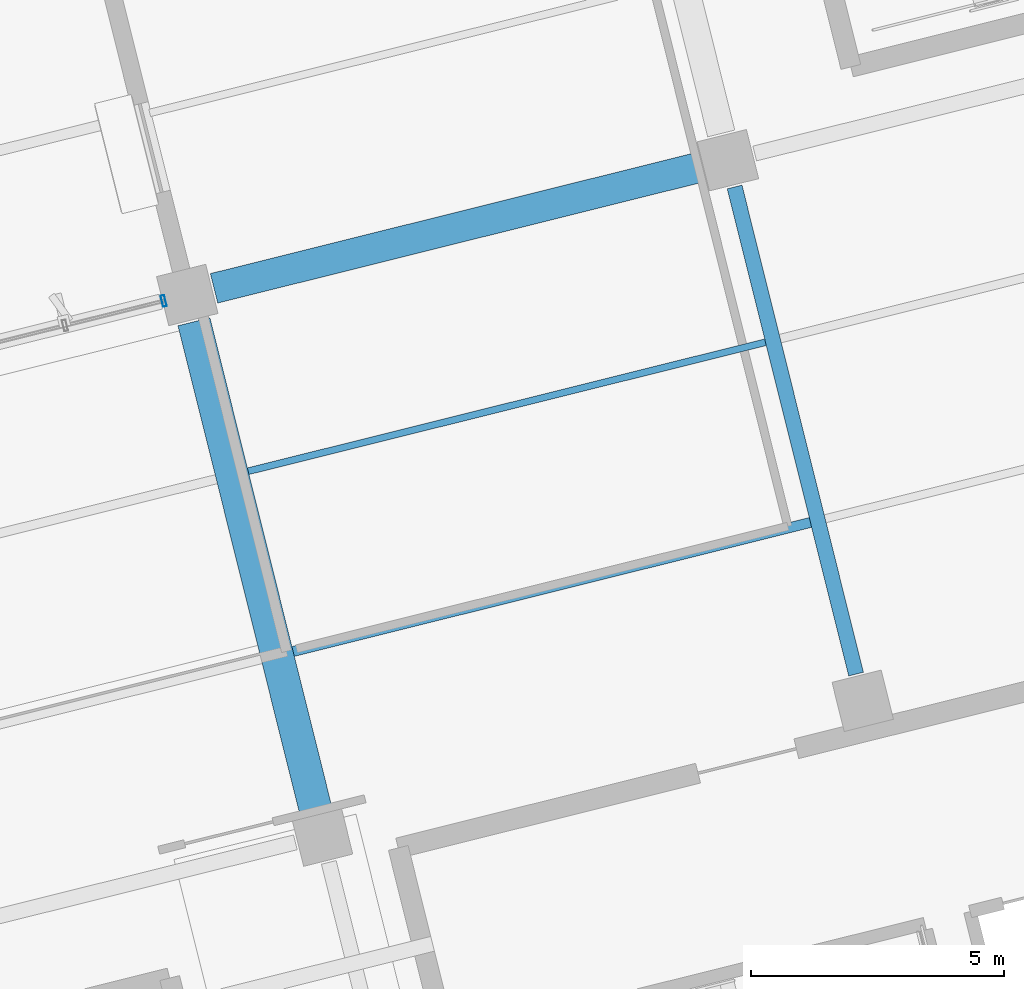
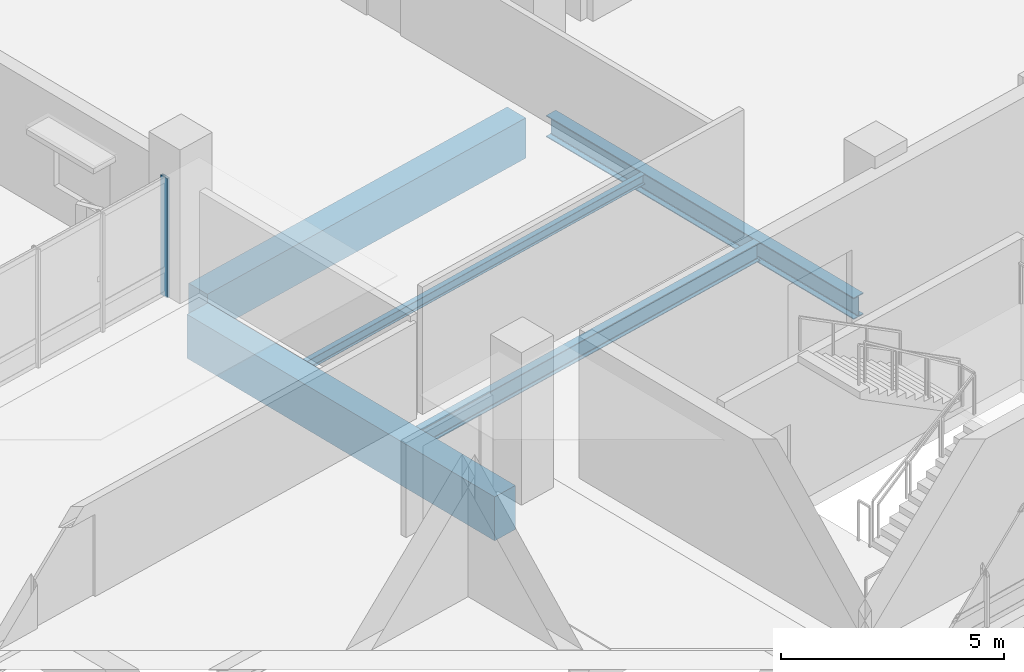
# One storey, part 34 of 75: 5 beams, 1 member, 1 element without a shape of its own.
"""IFC4 building model written with IfcOpenShell, lengths in metres."""

from ifc_helpers import new_model, si_unit, direction, frame, origin, origin_2d, place, context, subcontext, project, spatial, rectangle, hollow_rectangle, i_section, extrude, material, layer, layer_set, material_profile, profile_set, type_object, element, aggregate, save


model = new_model("IFC4")

# Units and contexts
model_context = context("Model", 3, precision=1e-05, world=origin(), true_north=direction((0.0, 1.0)))
body_context = subcontext(model_context, "Body", "Model", "MODEL_VIEW")
ifc_project = project(units=[si_unit("LENGTHUNIT", "METRE"), si_unit("AREAUNIT", "SQUARE_METRE"), si_unit("VOLUMEUNIT", "CUBIC_METRE"), si_unit("PLANEANGLEUNIT", "RADIAN"), si_unit("MASSUNIT", "GRAM", prefix="KILO")], contexts=[model_context])

# Site, building, storey
site_placement = place(None, origin())
site = spatial("IfcSite", under=ifc_project, at=site_placement, CompositionType="ELEMENT")
building_placement = place(site_placement, origin())
building = spatial("IfcBuilding", under=site, at=building_placement, Name="Khorjan Park Terminus", CompositionType="ELEMENT")
storey_placement = place(building_placement, frame((0.0, 0.0, 16.2)))
storey = spatial("IfcBuildingStorey", under=building, at=storey_placement, Name="L03", CompositionType="ELEMENT", Elevation=16.2)

# Beams
ifc_material_1 = material(Name="Steel S355", Category="steel")
ifc_material_profile_1 = material_profile(ifc_material_1, i_section(OverallWidth=0.3, OverallDepth=0.59, WebThickness=0.013, FlangeThickness=0.025, FilletRadius=0.027, at=origin_2d()), Name="HEA 600")
ifc_profile_set_1 = profile_set([ifc_material_profile_1], Name="Steel S355")
beam_type_1 = type_object("IfcBeamType", Name="BM-HEA600", PredefinedType="BEAM", material=ifc_profile_set_1)
beam_1_placement = place(storey_placement, frame((205.9, 23.8466, -0.645), z_axis=(-0.241915884168, 0.970297225074, 0.0), x_axis=(-0.970297225074, -0.241915884168, 0.0)))
element("IfcBeam", 1, at=beam_1_placement, inside=storey, type_object=beam_type_1, Name="Primary skew-grid floor girder SB-A60 (L03)", PredefinedType="BEAM", context=body_context, shape_type="SweptSolid", body=[
    extrude(i_section(OverallWidth=0.3, OverallDepth=0.59, WebThickness=0.013, FlangeThickness=0.025, FilletRadius=0.027, at=origin_2d()), origin(), (0.0, 0.0, 1.0), 9.9101),
])
ifc_material_2 = material(Name="Concrete C40/50", Category="concrete")
ifc_material_profile_2 = material_profile(ifc_material_2, rectangle(XDim=0.6, YDim=1.1, at=origin_2d()), Name="RC 600x1100")
ifc_profile_set_2 = profile_set([ifc_material_profile_2], Name="Concrete C40/50")
beam_type_2 = type_object("IfcBeamType", Name="BM-RC600x1100", PredefinedType="BEAM", material=ifc_profile_set_2)
beam_2_placement = place(storey_placement, frame((193.2263, 31.4618, -0.9), z_axis=(0.970296634521, 0.241918252798, 0.0), x_axis=(-0.241918252798, 0.970296634521, 0.0)))
element("IfcBeam", 2, at=beam_2_placement, inside=storey, type_object=beam_type_2, Name="Primary skew-grid floor girder GB-11 (L03)", PredefinedType="BEAM", context=body_context, shape_type="SweptSolid", body=[
    extrude(rectangle(XDim=0.6, YDim=1.1, at=origin_2d()), origin(), (0.0, 0.0, 1.0), 9.91),
])
ifc_material_profile_3 = material_profile(ifc_material_2, rectangle(XDim=0.65, YDim=1.2, at=origin_2d()), Name="RC 650x1200")
ifc_profile_set_3 = profile_set([ifc_material_profile_3], Name="Concrete C40/50")
beam_type_3 = type_object("IfcBeamType", Name="BM-RC650x1200", PredefinedType="BEAM", material=ifc_profile_set_3)
beam_3_placement = place(storey_placement, frame((195.2268, 21.1855, -0.95), z_axis=(-0.24192775306, 0.970294265828, 0.0), x_axis=(-0.970294265828, -0.24192775306, 0.0)))
element("IfcBeam", 3, at=beam_3_placement, inside=storey, type_object=beam_type_3, Name="Primary skew-grid floor girder GB-12 (L03)", PredefinedType="BEAM", context=body_context, shape_type="SweptSolid", body=[
    extrude(rectangle(XDim=0.65, YDim=1.2, at=origin_2d()), origin(), (0.0, 0.0, 1.0), 9.91),
])
ifc_material_profile_4 = material_profile(ifc_material_1, i_section(OverallWidth=0.135, OverallDepth=0.27, WebThickness=0.0066, FlangeThickness=0.0102, FilletRadius=0.015, at=origin_2d()), Name="IPE 270")
ifc_profile_set_4 = profile_set([ifc_material_profile_4], Name="Steel S355")
beam_type_4 = type_object("IfcBeamType", Name="JS-IPE270", PredefinedType="JOIST", material=ifc_profile_set_4)
beam_4_placement = place(storey_placement, frame((193.8999, 27.8508, -0.485), z_axis=(0.970296002015, 0.241920789668, 0.0), x_axis=(-0.241920789668, 0.970296002015, 0.0)))
element("IfcBeam", 4, at=beam_4_placement, inside=storey, type_object=beam_type_4, Name="Secondary composite floor joist SJ-27 (L03)", PredefinedType="JOIST", context=body_context, shape_type="SweptSolid", body=[
    extrude(i_section(OverallWidth=0.135, OverallDepth=0.27, WebThickness=0.0066, FlangeThickness=0.0102, FilletRadius=0.015, at=origin_2d()), origin(), (0.0, 0.0, 1.0), 10.5249),
])
ifc_material_profile_5 = material_profile(ifc_material_1, i_section(OverallWidth=0.2, OverallDepth=0.5, WebThickness=0.0102, FlangeThickness=0.016, FilletRadius=0.021, at=origin_2d()), Name="IPE 500")
ifc_profile_set_5 = profile_set([ifc_material_profile_5], Name="Steel S355")
beam_type_5 = type_object("IfcBeamType", Name="JS-IPE500", PredefinedType="JOIST", material=ifc_profile_set_5)
beam_5_placement = place(storey_placement, frame((194.7869, 24.2931, -0.6), z_axis=(0.970296558074, 0.241918559415, 0.0), x_axis=(-0.241918559415, 0.970296558074, 0.0)))
element("IfcBeam", 5, at=beam_5_placement, inside=storey, type_object=beam_type_5, Name="Secondary composite floor joist SJ-50 (L03)", PredefinedType="JOIST", context=body_context, shape_type="SweptSolid", body=[
    extrude(i_section(OverallWidth=0.2, OverallDepth=0.5, WebThickness=0.0102, FlangeThickness=0.016, FilletRadius=0.021, at=origin_2d()), origin(), (0.0, 0.0, 1.0), 10.525),
])

# Curtain wall, member
ifc_material_3 = material(Name="Anodized Bronze Aluminium", Category="aluminium")
ifc_layer = layer(ifc_material_3, 0.22)
ifc_layer_set = layer_set([ifc_layer], Name="Anodized Bronze Aluminium")
curtain_wall_type = type_object("IfcCurtainWallType", Name="CW-OPS-B", PredefinedType="NOTDEFINED", material=ifc_layer_set)
curtain_wall_placement = place(storey_placement, origin())
curtain_wall = element("IfcCurtainWall", 6, at=curtain_wall_placement, inside=storey, type_object=curtain_wall_type, Name="Unitized curtain wall CW-B (CW-V5-NW2-L03-B01)", PredefinedType="NOTDEFINED")
ifc_material_profile_6 = material_profile(ifc_material_3, hollow_rectangle(XDim=0.075, YDim=0.225, WallThickness=0.005, InnerFilletRadius=0.005, OuterFilletRadius=0.01, at=origin_2d()), Name="ALM 75x225x5")
ifc_profile_set_6 = profile_set([ifc_material_profile_6], Name="Anodized Bronze Aluminium")
member_type = type_object("IfcMemberType", Name="ML-ALM-225", PredefinedType="MULLION", material=ifc_profile_set_6)
member_placement = place(storey_placement, frame((192.2313, 31.2137, -0.035), z_axis=(0.0, 0.0, 1.0), x_axis=(-0.970296398227, -0.241919200535, 0.0)))
member = element("IfcMember", 7, at=member_placement, type_object=member_type, Name="Curtain-wall mullion ML-22 (CW-V5-NW2-L03-B01-0)", PredefinedType="MULLION", context=body_context, shape_type="SweptSolid", body=[
    extrude(hollow_rectangle(XDim=0.075, YDim=0.225, WallThickness=0.005, InnerFilletRadius=0.005, OuterFilletRadius=0.01, at=origin_2d()), origin(), (0.0, 0.0, 1.0), 3.265),
])
aggregate(curtain_wall, [member])

save(model, "model.ifc")
